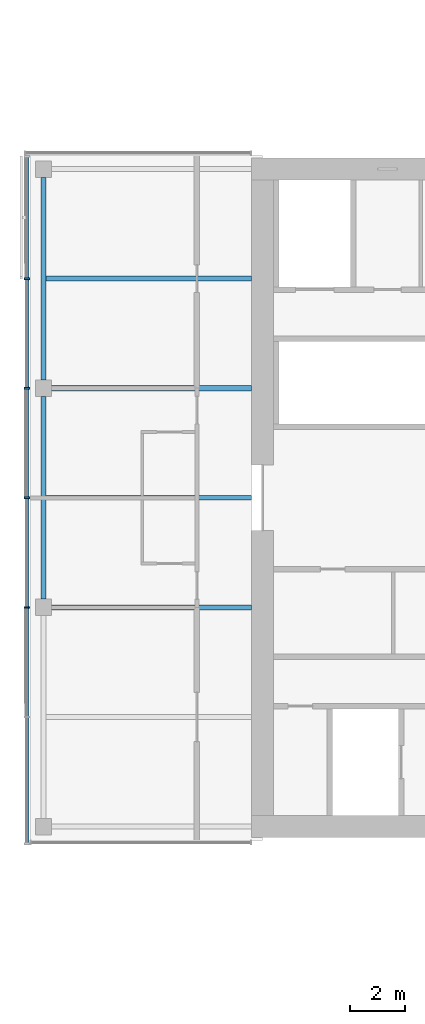
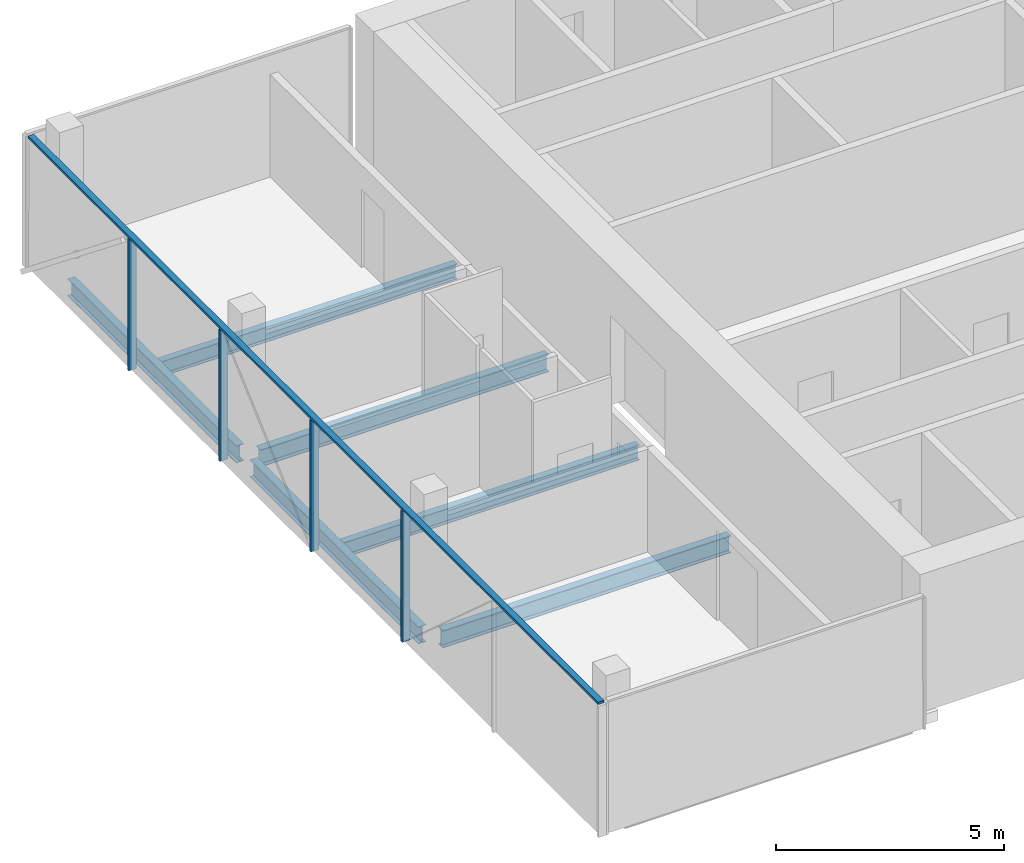
# One storey, part 6 of 27: 6 beams, 5 members, 1 element without a shape of its own.
"""IFC4 building model written with IfcOpenShell, lengths in metres."""

import ifcopenshell
import ifcopenshell.guid

model = None  # the IFC model being written
_history = None  # IfcOwnerHistory: only IFC2X3 demands one
_inside = {}  # id of a spatial element -> (the spatial element, [elements in it])
_under = {}  # id of a project, library or spatial element -> (it, [spatial elements below it])
_declared = {}  # id of a project -> (the project, [libraries it declares])
_typed = {}  # id of a type object -> (the type object, [elements of that type])
_made_of = {}  # id of a material, layer set ... -> (it, [elements and type objects made of it])


def new_model(schema):
    """Start an empty IFC model of exactly this schema.

    Asked for "IFC4X3", IfcOpenShell would pick the latest addendum, in which some entities
    have other attributes; the version numbers below select the first issue.
    IFC2X3 requires an IfcOwnerHistory on every rooted entity: one is made here for all.
    """
    global model, _history
    if schema == "IFC4X3":
        model = ifcopenshell.file(schema_version=(4, 3, 0, 0))
    else:
        model = ifcopenshell.file(schema=schema)
    _inside.clear()
    _under.clear()
    _declared.clear()
    _typed.clear()
    _made_of.clear()
    _history = None
    if model.schema == "IFC2X3":
        org = make("IfcOrganization", Name="unknown")
        user = make(
            "IfcPersonAndOrganization",
            ThePerson=make("IfcPerson", FamilyName="unknown"),
            TheOrganization=org,
        )
        app = make(
            "IfcApplication",
            ApplicationDeveloper=org,
            Version="unknown",
            ApplicationFullName="unknown",
            ApplicationIdentifier="unknown",
        )
        _history = make(
            "IfcOwnerHistory",
            OwningUser=user,
            OwningApplication=app,
            ChangeAction="ADDED",
            CreationDate=0,
        )
    return model


def make(cls, **values):
    """One entity of the class cls with the attributes given. An attribute that is None is left unset."""
    return model.create_entity(
        cls, **{name: value for name, value in values.items() if value is not None}
    )


def rooted(cls, **values):
    """An entity with a GlobalId (a new one), such as an element, a storey or a relation."""
    return make(cls, GlobalId=ifcopenshell.guid.new(), OwnerHistory=_history, **values)


def si_unit(unit_type, name, prefix=None):
    """IfcSIUnit, for example si_unit("LENGTHUNIT", "METRE", prefix="MILLI")."""
    return make("IfcSIUnit", UnitType=unit_type, Prefix=prefix, Name=name)


def assignment(units):
    """IfcUnitAssignment: the units of a project."""
    return None if units is None else make("IfcUnitAssignment", Units=units)


def point(xyz):
    """IfcCartesianPoint."""
    return None if xyz is None else make("IfcCartesianPoint", Coordinates=xyz)


def direction(xyz):
    """IfcDirection."""
    return None if xyz is None else make("IfcDirection", DirectionRatios=xyz)


def frame(location, z_axis=None, x_axis=None):
    """IfcAxis2Placement3D, a coordinate frame: its origin and axes. An axis left out is left unset."""
    return make(
        "IfcAxis2Placement3D",
        Location=point(location),
        Axis=direction(z_axis),
        RefDirection=direction(x_axis),
    )


def frame_2d(location, x_axis=None):
    """IfcAxis2Placement2D, a coordinate frame in the plane: its origin and x axis."""
    return make(
        "IfcAxis2Placement2D", Location=point(location), RefDirection=direction(x_axis)
    )


def origin():
    """The frame at (0, 0, 0) with its axes left unset."""
    return frame((0.0, 0.0, 0.0))


def origin_2d():
    """The frame at (0, 0) in the plane with its x axis left unset."""
    return frame_2d((0.0, 0.0))


def place(relative_to, where):
    """IfcLocalPlacement: puts the frame where relative to a parent placement (None: the world)."""
    return make(
        "IfcLocalPlacement", PlacementRelTo=relative_to, RelativePlacement=where
    )


def context(
    kind, dimensions, precision=None, world=None, true_north=None, identifier=None
):
    """IfcGeometricRepresentationContext, for example the 3D "Model" context."""
    return make(
        "IfcGeometricRepresentationContext",
        ContextIdentifier=identifier,
        ContextType=kind,
        CoordinateSpaceDimension=dimensions,
        Precision=precision,
        WorldCoordinateSystem=world,
        TrueNorth=true_north,
    )


def subcontext(parent, identifier, kind, view, scale=None):
    """IfcGeometricRepresentationSubContext, for example "Body" below "Model"."""
    return make(
        "IfcGeometricRepresentationSubContext",
        ContextIdentifier=identifier,
        ContextType=kind,
        ParentContext=parent,
        TargetScale=scale,
        TargetView=view,
    )


def project(units=None, contexts=None):
    """IfcProject with its units and contexts."""
    return rooted(
        "IfcProject",
        Name="project",
        RepresentationContexts=contexts,
        UnitsInContext=assignment(units),
    )


def spatial(cls, under=None, at=None, **own):
    """A site, building, storey or space (cls), placed at a placement, below another one or the project."""
    s = rooted(cls, ObjectPlacement=at, **own)
    if under is not None:
        _under.setdefault(under.id(), (under, []))[1].append(s)
    return s


def profile(cls, at=None, kind="AREA", **sizes):
    """A parametric profile (cls). Its sizes go by their IFC names, for example OverallWidth=200.0."""
    return make(cls, ProfileType=kind, Position=at, **sizes)


def rectangle(**sizes):
    """IfcRectangleProfileDef."""
    return profile("IfcRectangleProfileDef", **sizes)


def i_section(**sizes):
    """IfcIShapeProfileDef."""
    return profile("IfcIShapeProfileDef", **sizes)


def extrude(swept, where, along, depth):
    """IfcExtrudedAreaSolid: the profile swept, set in the frame where, extruded along a direction by depth."""
    return make(
        "IfcExtrudedAreaSolid",
        SweptArea=swept,
        Position=where,
        ExtrudedDirection=direction(along),
        Depth=depth,
    )


def shape(context_of_items, identifier, shape_type, items):
    """IfcShapeRepresentation: the items that make up one representation, for example the "Body"."""
    return make(
        "IfcShapeRepresentation",
        ContextOfItems=context_of_items,
        RepresentationIdentifier=identifier,
        RepresentationType=shape_type,
        Items=items,
    )


def material(Name=None, Category=None):
    """IfcMaterial."""
    return make("IfcMaterial", Name=Name, Category=Category)


def material_profile(
    of_material, cross_section, Name=None, Category=None, Priority=None
):
    """IfcMaterialProfile: a cross section and its material."""
    return make(
        "IfcMaterialProfile",
        Name=Name,
        Material=of_material,
        Profile=cross_section,
        Priority=Priority,
        Category=Category,
    )


def profile_set(profiles, Name=None, composite=None):
    """IfcMaterialProfileSet."""
    return make(
        "IfcMaterialProfileSet",
        Name=Name,
        MaterialProfiles=profiles,
        CompositeProfile=composite,
    )


def made_of(thing, what):
    """Note that an element or type object is made of a material, layer set ...; save() writes the relation."""
    if what is not None:
        _made_of.setdefault(what.id(), (what, []))[1].append(thing)
    return thing


def type_object(cls, material=None, **own):
    """A type object (cls), such as IfcWallType, which elements share."""
    return made_of(rooted(cls, **own), material)


def element(
    cls,
    number,
    at=None,
    inside=None,
    cuts=None,
    type_object=None,
    material=None,
    context=None,
    identifier="Body",
    shape_type=None,
    held_by="IfcProductDefinitionShape",
    body=None,
    shapes=None,
    **own,
):
    """One element of the class cls, such as IfcWall. Its Tag is "e" and its number.

    at: its placement. inside: the storey or other place that contains it. cuts: it is an
    opening in that element (IfcRelVoidsElement). A single representation is given by context,
    identifier, shape_type and body (its items); several are given by shapes. held_by: the class
    of the entity that holds the representations. save() writes the other relations.
    """
    e = rooted(cls, Tag="e%d" % number, ObjectPlacement=at, **own)
    if body is not None:
        shapes = [shape(context, identifier, shape_type, body)]
    if shapes is not None:
        e.Representation = make(held_by, Representations=shapes)
    if inside is not None:
        _inside.setdefault(inside.id(), (inside, []))[1].append(e)
    if cuts is not None:
        rooted(
            "IfcRelVoidsElement", RelatingBuildingElement=cuts, RelatedOpeningElement=e
        )
    if type_object is not None:
        _typed.setdefault(type_object.id(), (type_object, []))[1].append(e)
    return made_of(e, material)


def aggregate(whole, parts):
    """IfcRelAggregates: a whole, such as a stair, and the parts it consists of."""
    return rooted("IfcRelAggregates", RelatingObject=whole, RelatedObjects=parts)


def save(model, path):
    """Write the relations noted so far, then the file.

    IfcRelAggregates (storeys below a building ...), IfcRelContainedInSpatialStructure (elements
    in a storey), IfcRelDefinesByType, IfcRelAssociatesMaterial and IfcRelDeclares: one each for
    every whole, place, type object, material and project.
    """
    for whole, parts in _under.values():
        aggregate(whole, parts)
    for where, things in _inside.values():
        rooted(
            "IfcRelContainedInSpatialStructure",
            RelatedElements=things,
            RelatingStructure=where,
        )
    for kind, things in _typed.values():
        rooted("IfcRelDefinesByType", RelatedObjects=things, RelatingType=kind)
    for what, things in _made_of.values():
        rooted("IfcRelAssociatesMaterial", RelatedObjects=things, RelatingMaterial=what)
    for by, libraries in _declared.values():
        rooted("IfcRelDeclares", RelatingContext=by, RelatedDefinitions=libraries)
    model.write(path)


model = new_model("IFC4")

# Units and contexts
model_context = context("Model", 3, precision=1e-05, world=origin(), true_north=direction((0.0, 1.0)))
body_context = subcontext(model_context, "Body", "Model", "MODEL_VIEW")
ifc_project = project(units=[si_unit("LENGTHUNIT", "METRE"), si_unit("AREAUNIT", "SQUARE_METRE"), si_unit("VOLUMEUNIT", "CUBIC_METRE"), si_unit("PLANEANGLEUNIT", "RADIAN"), si_unit("MASSUNIT", "GRAM", prefix="KILO")], contexts=[model_context])

# Site, building, storey
site_placement = place(None, origin())
site = spatial("IfcSite", under=ifc_project, at=site_placement, CompositionType="ELEMENT")
building_placement = place(site_placement, origin())
building = spatial("IfcBuilding", under=site, at=building_placement, Name="Crosswind Convention Tower", CompositionType="ELEMENT")
storey_placement = place(building_placement, frame((0.0, 0.0, 101.60009765625)))
storey = spatial("IfcBuildingStorey", under=building, at=storey_placement, Name="L20", CompositionType="ELEMENT", Elevation=101.60009765625)

# Beams
ifc_material_1 = material(Name="Steel S355", Category="steel")
ifc_material_profile_1 = material_profile(ifc_material_1, i_section(OverallWidth=0.1904296875, OverallDepth=0.457275390625, WebThickness=0.009033203125, FlangeThickness=0.014404296875, FilletRadius=0.01025390625, at=origin_2d()), Name="UB 457x191x75")
ifc_profile_set_1 = profile_set([ifc_material_profile_1], Name="Steel S355")
beam_type_1 = type_object("IfcBeamType", Name="Edge beam UB 457x191x75", PredefinedType="SPANDREL", material=ifc_profile_set_1)
for number, where, z_axis, x_axis, name in (
    (1, (89.0, 96.300048828125, -0.5087890625), (0.0, 1.0, 0.0), (-1.0, 0.0, 0.0), "B17 L20 edge beam 2"),
    (2, (89.0, 104.300048828125, -0.5087890625), (0.0, 1.0, 0.0), (-1.0, 0.0, 0.0), "B17 L20 edge beam 3"),
):
    element("IfcBeam", number, at=place(storey_placement, frame(where, z_axis=z_axis, x_axis=x_axis)), inside=storey, type_object=beam_type_1, Name=name, PredefinedType="SPANDREL", context=body_context, shape_type="SweptSolid", body=[
        extrude(i_section(OverallWidth=0.1904296875, OverallDepth=0.457275390625, WebThickness=0.009033203125, FlangeThickness=0.014404296875, FilletRadius=0.01025390625, at=origin_2d()), origin(), (0.0, 0.0, 1.0), 7.39990234375),
    ])
ifc_material_profile_2 = material_profile(ifc_material_1, i_section(OverallWidth=0.19189453125, OverallDepth=0.463623046875, WebThickness=0.010498046875, FlangeThickness=0.017578125, FilletRadius=0.01025390625, at=origin_2d()), Name="UB 457x191x90")
ifc_profile_set_2 = profile_set([ifc_material_profile_2], Name="Steel S355")
beam_type_2 = type_object("IfcBeamType", Name="Girder at core wall UB 457x191x90", PredefinedType="BEAM", material=ifc_profile_set_2)
for number, where, z_axis, x_axis, name in (
    (3, (89.300048828125, 96.0, -0.511962890625), (1.0, 0.0, 0.0), (0.0, 1.0, 0.0), "B24 L20 girder at core wall 1"),
    (4, (89.300048828125, 104.0, -0.511962890625), (1.0, 0.0, 0.0), (0.0, 1.0, 0.0), "B24 L20 girder at core wall 2"),
):
    element("IfcBeam", number, at=place(storey_placement, frame(where, z_axis=z_axis, x_axis=x_axis)), inside=storey, type_object=beam_type_2, Name=name, PredefinedType="BEAM", context=body_context, shape_type="SweptSolid", body=[
        extrude(i_section(OverallWidth=0.19189453125, OverallDepth=0.463623046875, WebThickness=0.010498046875, FlangeThickness=0.017578125, FilletRadius=0.01025390625, at=origin_2d()), origin(), (0.0, 0.0, 1.0), 7.300048828125),
    ])

# Curtain wall, members
ifc_material_2 = material(Name="Aluminium unitised curtain wall", Category="aluminium")
curtain_wall_type = type_object("IfcCurtainWallType", Name="HOTEL UNITISED WALL 200", PredefinedType="USERDEFINED", material=ifc_material_2)
curtain_wall_placement = place(storey_placement, origin())
curtain_wall = element("IfcCurtainWall", 5, at=curtain_wall_placement, inside=storey, type_object=curtain_wall_type, Name="CW2 L20 W-TIP 1", ObjectType="UNITISED", PredefinedType="USERDEFINED")
ifc_material_3 = material(Name="Aluminium mullion", Category="aluminium")
ifc_material_profile_3 = material_profile(ifc_material_3, rectangle(XDim=0.199951171875, YDim=0.06494140625, at=origin_2d()), Name="AL 200X65")
ifc_profile_set_3 = profile_set([ifc_material_profile_3], Name="Aluminium mullion")
member_type_1 = type_object("IfcMemberType", Name="MULLION 65X200", PredefinedType="MULLION", material=ifc_profile_set_3)
member_1_placement = place(storey_placement, frame((88.39990234375, 108.0, -0.280029296875), z_axis=(0.0, 0.0, 1.0), x_axis=(-1.0, 0.0, 0.0)))
member_1 = element("IfcMember", 6, at=member_1_placement, type_object=member_type_1, Name="CW2 mullion 2", PredefinedType="MULLION", context=body_context, shape_type="SweptSolid", body=[
    extrude(rectangle(XDim=0.199951171875, YDim=0.06494140625, at=origin_2d()), origin(), (0.0, 0.0, 1.0), 3.514892578125),
])
member_2_placement = place(storey_placement, frame((88.39990234375, 104.0, -0.280029296875), z_axis=(0.0, 0.0, 1.0), x_axis=(-1.0, 0.0, 0.0)))
member_2 = element("IfcMember", 7, at=member_2_placement, type_object=member_type_1, Name="CW2 mullion 3", PredefinedType="MULLION", context=body_context, shape_type="SweptSolid", body=[
    extrude(rectangle(XDim=0.199951171875, YDim=0.06494140625, at=origin_2d()), origin(), (0.0, 0.0, 1.0), 3.514892578125),
])
member_3_placement = place(storey_placement, frame((88.39990234375, 100.0, -0.280029296875), z_axis=(0.0, 0.0, 1.0), x_axis=(-1.0, 0.0, 0.0)))
member_3 = element("IfcMember", 8, at=member_3_placement, type_object=member_type_1, Name="CW2 mullion 4", PredefinedType="MULLION", context=body_context, shape_type="SweptSolid", body=[
    extrude(rectangle(XDim=0.199951171875, YDim=0.06494140625, at=origin_2d()), origin(), (0.0, 0.0, 1.0), 3.514892578125),
])
member_4_placement = place(storey_placement, frame((88.39990234375, 96.0, -0.280029296875), z_axis=(0.0, 0.0, 1.0), x_axis=(-1.0, 0.0, 0.0)))
member_4 = element("IfcMember", 9, at=member_4_placement, type_object=member_type_1, Name="CW2 mullion 5", PredefinedType="MULLION", context=body_context, shape_type="SweptSolid", body=[
    extrude(rectangle(XDim=0.199951171875, YDim=0.06494140625, at=origin_2d()), origin(), (0.0, 0.0, 1.0), 3.514892578125),
])

# Beams
ifc_material_profile_4 = material_profile(ifc_material_1, i_section(OverallWidth=0.177734375, OverallDepth=0.406494140625, WebThickness=0.0078125, FlangeThickness=0.0126953125, FilletRadius=0.01025390625, at=origin_2d()), Name="UB 406x178x60")
ifc_profile_set_4 = profile_set([ifc_material_profile_4], Name="Steel S355")
beam_type_3 = type_object("IfcBeamType", Name="Secondary beam UB 406x178x60", PredefinedType="JOIST", material=ifc_profile_set_4)
for number, where, z_axis, x_axis, name in (
    (10, (89.09521484375, 100.0, -0.4833984375), (1.0, 0.0, 0.0), (0.0, 1.0, 0.0), "B10 L20 secondary beam 2"),
    (11, (89.09521484375, 108.0, -0.4833984375), (1.0, 0.0, 0.0), (0.0, 1.0, 0.0), "B10 L20 secondary beam 3"),
):
    element("IfcBeam", number, at=place(storey_placement, frame(where, z_axis=z_axis, x_axis=x_axis)), inside=storey, type_object=beam_type_3, Name=name, PredefinedType="JOIST", context=body_context, shape_type="SweptSolid", body=[
        extrude(i_section(OverallWidth=0.177734375, OverallDepth=0.406494140625, WebThickness=0.0078125, FlangeThickness=0.0126953125, FilletRadius=0.01025390625, at=origin_2d()), origin(), (0.0, 0.0, 1.0), 7.5048828125),
    ])

# Member
ifc_material_4 = material(Name="Aluminium transom", Category="aluminium")
ifc_material_profile_5 = material_profile(ifc_material_4, rectangle(XDim=0.14990234375, YDim=0.06494140625, at=origin_2d()), Name="AL 150X65")
ifc_profile_set_5 = profile_set([ifc_material_profile_5], Name="Aluminium transom")
member_type_2 = type_object("IfcMemberType", Name="TRANSOM 65X150", PredefinedType="USERDEFINED", material=ifc_profile_set_5)
member_5_placement = place(storey_placement, frame((88.39990234375, 112.43505859375, 3.267333984375), z_axis=(0.0, -1.0, 0.0), x_axis=(1.0, 0.0, 0.0)))
member_5 = element("IfcMember", 12, at=member_5_placement, type_object=member_type_2, Name="CW2 transom", ObjectType="TRANSOM", PredefinedType="USERDEFINED", context=body_context, shape_type="SweptSolid", body=[
    extrude(rectangle(XDim=0.14990234375, YDim=0.06494140625, at=origin_2d()), origin(), (0.0, 0.0, 1.0), 25.030029296875),
])

aggregate(curtain_wall, [member_1, member_2, member_3, member_4, member_5])

save(model, "model.ifc")
